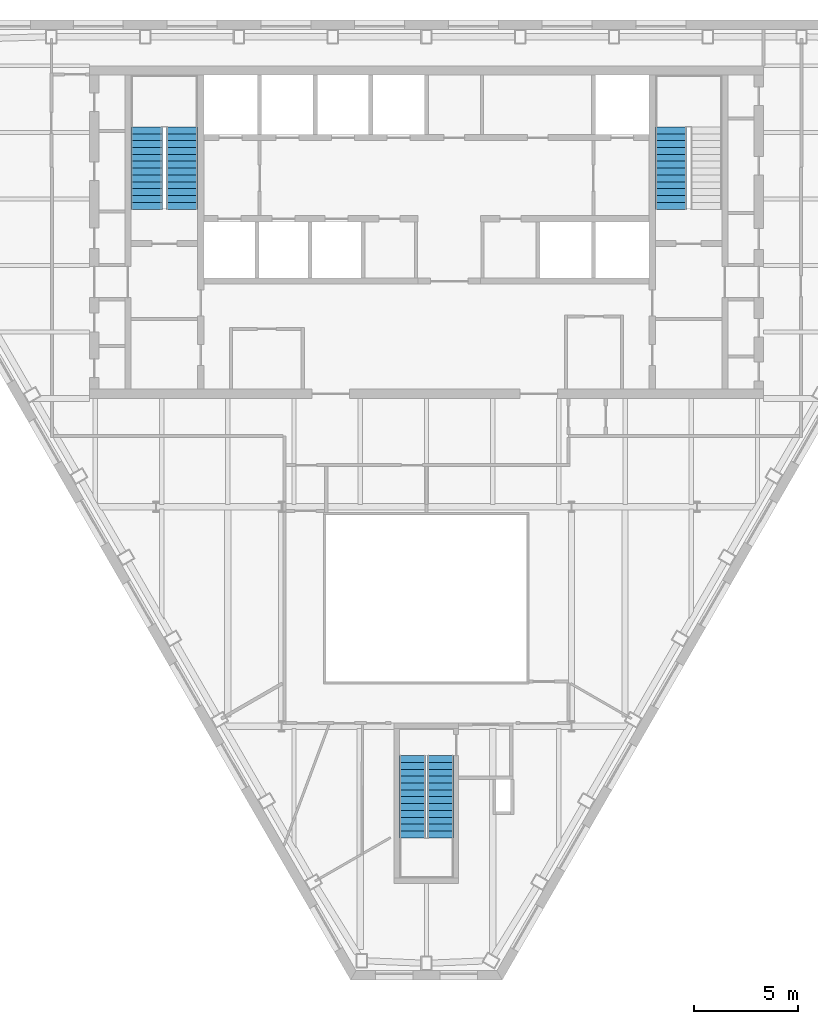
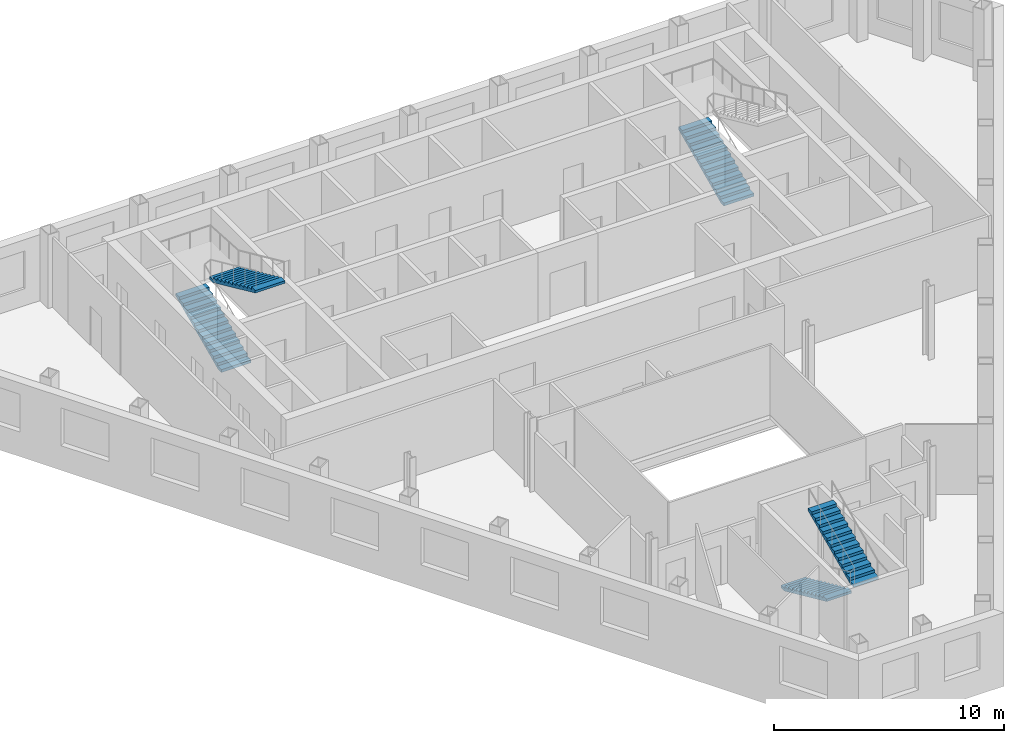
# One storey, part 9 of 11: 5 stair flights, 3 elements without a shape of their own.
"""IFC4 building model written with IfcOpenShell, lengths in metres."""

import ifcopenshell
import ifcopenshell.guid

model = None  # the IFC model being written
_history = None  # IfcOwnerHistory: only IFC2X3 demands one
_inside = {}  # id of a spatial element -> (the spatial element, [elements in it])
_under = {}  # id of a project, library or spatial element -> (it, [spatial elements below it])
_declared = {}  # id of a project -> (the project, [libraries it declares])
_typed = {}  # id of a type object -> (the type object, [elements of that type])
_made_of = {}  # id of a material, layer set ... -> (it, [elements and type objects made of it])


def new_model(schema):
    """Start an empty IFC model of exactly this schema.

    Asked for "IFC4X3", IfcOpenShell would pick the latest addendum, in which some entities
    have other attributes; the version numbers below select the first issue.
    IFC2X3 requires an IfcOwnerHistory on every rooted entity: one is made here for all.
    """
    global model, _history
    if schema == "IFC4X3":
        model = ifcopenshell.file(schema_version=(4, 3, 0, 0))
    else:
        model = ifcopenshell.file(schema=schema)
    _inside.clear()
    _under.clear()
    _declared.clear()
    _typed.clear()
    _made_of.clear()
    _history = None
    if model.schema == "IFC2X3":
        org = make("IfcOrganization", Name="unknown")
        user = make(
            "IfcPersonAndOrganization",
            ThePerson=make("IfcPerson", FamilyName="unknown"),
            TheOrganization=org,
        )
        app = make(
            "IfcApplication",
            ApplicationDeveloper=org,
            Version="unknown",
            ApplicationFullName="unknown",
            ApplicationIdentifier="unknown",
        )
        _history = make(
            "IfcOwnerHistory",
            OwningUser=user,
            OwningApplication=app,
            ChangeAction="ADDED",
            CreationDate=0,
        )
    return model


def make(cls, **values):
    """One entity of the class cls with the attributes given. An attribute that is None is left unset."""
    return model.create_entity(
        cls, **{name: value for name, value in values.items() if value is not None}
    )


def rooted(cls, **values):
    """An entity with a GlobalId (a new one), such as an element, a storey or a relation."""
    return make(cls, GlobalId=ifcopenshell.guid.new(), OwnerHistory=_history, **values)


def si_unit(unit_type, name, prefix=None):
    """IfcSIUnit, for example si_unit("LENGTHUNIT", "METRE", prefix="MILLI")."""
    return make("IfcSIUnit", UnitType=unit_type, Prefix=prefix, Name=name)


def assignment(units):
    """IfcUnitAssignment: the units of a project."""
    return None if units is None else make("IfcUnitAssignment", Units=units)


def point(xyz):
    """IfcCartesianPoint."""
    return None if xyz is None else make("IfcCartesianPoint", Coordinates=xyz)


def direction(xyz):
    """IfcDirection."""
    return None if xyz is None else make("IfcDirection", DirectionRatios=xyz)


def frame(location, z_axis=None, x_axis=None):
    """IfcAxis2Placement3D, a coordinate frame: its origin and axes. An axis left out is left unset."""
    return make(
        "IfcAxis2Placement3D",
        Location=point(location),
        Axis=direction(z_axis),
        RefDirection=direction(x_axis),
    )


def origin():
    """The frame at (0, 0, 0) with its axes left unset."""
    return frame((0.0, 0.0, 0.0))


def place(relative_to, where):
    """IfcLocalPlacement: puts the frame where relative to a parent placement (None: the world)."""
    return make(
        "IfcLocalPlacement", PlacementRelTo=relative_to, RelativePlacement=where
    )


def context(
    kind, dimensions, precision=None, world=None, true_north=None, identifier=None
):
    """IfcGeometricRepresentationContext, for example the 3D "Model" context."""
    return make(
        "IfcGeometricRepresentationContext",
        ContextIdentifier=identifier,
        ContextType=kind,
        CoordinateSpaceDimension=dimensions,
        Precision=precision,
        WorldCoordinateSystem=world,
        TrueNorth=true_north,
    )


def subcontext(parent, identifier, kind, view, scale=None):
    """IfcGeometricRepresentationSubContext, for example "Body" below "Model"."""
    return make(
        "IfcGeometricRepresentationSubContext",
        ContextIdentifier=identifier,
        ContextType=kind,
        ParentContext=parent,
        TargetScale=scale,
        TargetView=view,
    )


def project(units=None, contexts=None):
    """IfcProject with its units and contexts."""
    return rooted(
        "IfcProject",
        Name="project",
        RepresentationContexts=contexts,
        UnitsInContext=assignment(units),
    )


def spatial(cls, under=None, at=None, **own):
    """A site, building, storey or space (cls), placed at a placement, below another one or the project."""
    s = rooted(cls, ObjectPlacement=at, **own)
    if under is not None:
        _under.setdefault(under.id(), (under, []))[1].append(s)
    return s


def point_list(points):
    """IfcCartesianPointList2D or 3D."""
    cls = (
        "IfcCartesianPointList2D" if len(points[0]) == 2 else "IfcCartesianPointList3D"
    )
    return make(cls, CoordList=points)


def polygons(points, faces, closed=None, point_numbers=None):
    """IfcPolygonalFaceSet: a face is its outer loop, then its inner loops; points numbered from 1."""
    made = []
    for loops in faces:
        if len(loops) == 1:
            made.append(make("IfcIndexedPolygonalFace", CoordIndex=loops[0]))
        else:
            made.append(
                make(
                    "IfcIndexedPolygonalFaceWithVoids",
                    CoordIndex=loops[0],
                    InnerCoordIndices=loops[1:],
                )
            )
    return make(
        "IfcPolygonalFaceSet",
        Coordinates=point_list(points),
        Closed=closed,
        Faces=made,
        PnIndex=point_numbers,
    )


def shape(context_of_items, identifier, shape_type, items):
    """IfcShapeRepresentation: the items that make up one representation, for example the "Body"."""
    return make(
        "IfcShapeRepresentation",
        ContextOfItems=context_of_items,
        RepresentationIdentifier=identifier,
        RepresentationType=shape_type,
        Items=items,
    )


def material(Name=None, Category=None):
    """IfcMaterial."""
    return make("IfcMaterial", Name=Name, Category=Category)


def made_of(thing, what):
    """Note that an element or type object is made of a material, layer set ...; save() writes the relation."""
    if what is not None:
        _made_of.setdefault(what.id(), (what, []))[1].append(thing)
    return thing


def type_object(cls, material=None, **own):
    """A type object (cls), such as IfcWallType, which elements share."""
    return made_of(rooted(cls, **own), material)


def element(
    cls,
    number,
    at=None,
    inside=None,
    cuts=None,
    type_object=None,
    material=None,
    context=None,
    identifier="Body",
    shape_type=None,
    held_by="IfcProductDefinitionShape",
    body=None,
    shapes=None,
    **own,
):
    """One element of the class cls, such as IfcWall. Its Tag is "e" and its number.

    at: its placement. inside: the storey or other place that contains it. cuts: it is an
    opening in that element (IfcRelVoidsElement). A single representation is given by context,
    identifier, shape_type and body (its items); several are given by shapes. held_by: the class
    of the entity that holds the representations. save() writes the other relations.
    """
    e = rooted(cls, Tag="e%d" % number, ObjectPlacement=at, **own)
    if body is not None:
        shapes = [shape(context, identifier, shape_type, body)]
    if shapes is not None:
        e.Representation = make(held_by, Representations=shapes)
    if inside is not None:
        _inside.setdefault(inside.id(), (inside, []))[1].append(e)
    if cuts is not None:
        rooted(
            "IfcRelVoidsElement", RelatingBuildingElement=cuts, RelatedOpeningElement=e
        )
    if type_object is not None:
        _typed.setdefault(type_object.id(), (type_object, []))[1].append(e)
    return made_of(e, material)


def aggregate(whole, parts):
    """IfcRelAggregates: a whole, such as a stair, and the parts it consists of."""
    return rooted("IfcRelAggregates", RelatingObject=whole, RelatedObjects=parts)


def save(model, path):
    """Write the relations noted so far, then the file.

    IfcRelAggregates (storeys below a building ...), IfcRelContainedInSpatialStructure (elements
    in a storey), IfcRelDefinesByType, IfcRelAssociatesMaterial and IfcRelDeclares: one each for
    every whole, place, type object, material and project.
    """
    for whole, parts in _under.values():
        aggregate(whole, parts)
    for where, things in _inside.values():
        rooted(
            "IfcRelContainedInSpatialStructure",
            RelatedElements=things,
            RelatingStructure=where,
        )
    for kind, things in _typed.values():
        rooted("IfcRelDefinesByType", RelatedObjects=things, RelatingType=kind)
    for what, things in _made_of.values():
        rooted("IfcRelAssociatesMaterial", RelatedObjects=things, RelatingMaterial=what)
    for by, libraries in _declared.values():
        rooted("IfcRelDeclares", RelatingContext=by, RelatedDefinitions=libraries)
    model.write(path)


model = new_model("IFC4")

# Units and contexts
model_context = context("Model", 3, precision=1e-05, world=origin(), true_north=direction((0.0, 1.0)))
body_context = subcontext(model_context, "Body", "Model", "MODEL_VIEW")
ifc_project = project(units=[si_unit("LENGTHUNIT", "METRE"), si_unit("AREAUNIT", "SQUARE_METRE"), si_unit("VOLUMEUNIT", "CUBIC_METRE"), si_unit("PLANEANGLEUNIT", "RADIAN"), si_unit("MASSUNIT", "GRAM", prefix="KILO")], contexts=[model_context])

# Site, building, storey
site_placement = place(None, origin())
site = spatial("IfcSite", under=ifc_project, at=site_placement, CompositionType="ELEMENT")
building_placement = place(site_placement, origin())
building = spatial("IfcBuilding", under=site, at=building_placement, Name="Njiva Tower", CompositionType="ELEMENT")
storey_placement = place(building_placement, frame((0.0, 0.0, 208.2)))
storey = spatial("IfcBuildingStorey", under=building, at=storey_placement, Name="L46", CompositionType="ELEMENT", Elevation=208.2)

# Stair, stair flights
ifc_material = material(Name="Concrete C40/50", Category="concrete")
stair_type_1 = type_object("IfcStairType", Name="ST1 Exit stair 1250", PredefinedType="HALF_TURN_STAIR", material=ifc_material)
stair_1_placement = place(storey_placement, origin())
stair_1 = element("IfcStair", 1, at=stair_1_placement, inside=storey, type_object=stair_type_1, Name="Stair C", PredefinedType="HALF_TURN_STAIR")
stair_flight_type_1 = type_object("IfcStairFlightType", Name="FL1 Stair flight 1250", PredefinedType="STRAIGHT", material=ifc_material)
stair_flight_1_placement = place(storey_placement, frame((-0.675, -15.16, 0.0), z_axis=(0.0, 0.0, 1.0), x_axis=(0.0, -1.0, 0.0)))
stair_flight_1 = element("IfcStairFlight", 2, at=stair_flight_1_placement, type_object=stair_flight_type_1, Name="ST-C flight 1", NumberOfRisers=13, NumberOfTreads=12, PredefinedType="STRAIGHT", RiserHeight=0.15, TreadLength=0.33, context=body_context, shape_type="Tessellation", body=[
    polygons([(0.0, 0.625, 0.0), (0.0, 0.3125, 0.0), (0.0, 0.0, 0.0), (0.0, -0.3125, 0.0), (0.0, -0.625, 0.0), (0.0, 0.625, 0.15), (0.0, 0.3125, 0.15), (0.0, 0.0, 0.15), (0.0, -0.3125, 0.15), (0.0, -0.625, 0.15), (0.33, 0.625, 0.15), (0.33, 0.3125, 0.15), (0.33, 0.0, 0.15), (0.33, -0.3125, 0.15), (0.33, -0.625, 0.15), (0.33, 0.625, 0.3), (0.33, 0.3125, 0.3), (0.33, 0.0, 0.3), (0.33, -0.3125, 0.3), (0.33, -0.625, 0.3), (0.66, 0.625, 0.3), (0.66, 0.3125, 0.3), (0.66, 0.0, 0.3), (0.66, -0.3125, 0.3), (0.66, -0.625, 0.3), (0.66, 0.625, 0.45), (0.66, 0.3125, 0.45), (0.66, 0.0, 0.45), (0.66, -0.3125, 0.45), (0.66, -0.625, 0.45), (0.99, 0.625, 0.45), (0.99, 0.3125, 0.45), (0.99, 0.0, 0.45), (0.99, -0.3125, 0.45), (0.99, -0.625, 0.45), (0.99, 0.625, 0.6), (0.99, 0.3125, 0.6), (0.99, 0.0, 0.6), (0.99, -0.3125, 0.6), (0.99, -0.625, 0.6), (1.32, 0.625, 0.6), (1.32, 0.3125, 0.6), (1.32, 0.0, 0.6), (1.32, -0.3125, 0.6), (1.32, -0.625, 0.6), (1.32, 0.625, 0.75), (1.32, 0.3125, 0.75), (1.32, 0.0, 0.75), (1.32, -0.3125, 0.75), (1.32, -0.625, 0.75), (1.65, 0.625, 0.75), (1.65, 0.3125, 0.75), (1.65, 0.0, 0.75), (1.65, -0.3125, 0.75), (1.65, -0.625, 0.75), (1.65, 0.625, 0.9), (1.65, 0.3125, 0.9), (1.65, 0.0, 0.9), (1.65, -0.3125, 0.9), (1.65, -0.625, 0.9), (1.98, 0.625, 0.9), (1.98, 0.3125, 0.9), (1.98, 0.0, 0.9), (1.98, -0.3125, 0.9), (1.98, -0.625, 0.9), (1.98, 0.625, 1.05), (1.98, 0.3125, 1.05), (1.98, 0.0, 1.05), (1.98, -0.3125, 1.05), (1.98, -0.625, 1.05), (2.31, 0.625, 1.05), (2.31, 0.3125, 1.05), (2.31, 0.0, 1.05), (2.31, -0.3125, 1.05), (2.31, -0.625, 1.05), (2.31, 0.625, 1.2), (2.31, 0.3125, 1.2), (2.31, 0.0, 1.2), (2.31, -0.3125, 1.2), (2.31, -0.625, 1.2), (2.64, 0.625, 1.2), (2.64, 0.3125, 1.2), (2.64, 0.0, 1.2), (2.64, -0.3125, 1.2), (2.64, -0.625, 1.2), (2.64, 0.625, 1.35), (2.64, 0.3125, 1.35), (2.64, 0.0, 1.35), (2.64, -0.3125, 1.35), (2.64, -0.625, 1.35), (2.97, 0.625, 1.35), (2.97, 0.3125, 1.35), (2.97, 0.0, 1.35), (2.97, -0.3125, 1.35), (2.97, -0.625, 1.35), (2.97, 0.625, 1.5), (2.97, 0.3125, 1.5), (2.97, 0.0, 1.5), (2.97, -0.3125, 1.5), (2.97, -0.625, 1.5), (3.3, 0.625, 1.5), (3.3, 0.3125, 1.5), (3.3, 0.0, 1.5), (3.3, -0.3125, 1.5), (3.3, -0.625, 1.5), (3.3, 0.625, 1.65), (3.3, 0.3125, 1.65), (3.3, 0.0, 1.65), (3.3, -0.3125, 1.65), (3.3, -0.625, 1.65), (3.63, 0.625, 1.65), (3.63, 0.3125, 1.65), (3.63, 0.0, 1.65), (3.63, -0.3125, 1.65), (3.63, -0.625, 1.65), (3.63, 0.625, 1.8), (3.63, 0.3125, 1.8), (3.63, 0.0, 1.8), (3.63, -0.3125, 1.8), (3.63, -0.625, 1.8), (3.96, 0.625, 1.8), (3.96, 0.3125, 1.8), (3.96, 0.0, 1.8), (3.96, -0.3125, 1.8), (3.96, -0.625, 1.8), (3.96, 0.625, 1.6682), (3.96, 0.3125, 1.6682), (3.96, 0.0, 1.6682), (3.96, -0.3125, 1.6682), (3.96, -0.625, 1.6682), (0.29, 0.625, 0.0), (0.29, 0.3125, 0.0), (0.29, 0.0, 0.0), (0.29, -0.3125, 0.0), (0.29, -0.625, 0.0)], [[[1, 6, 11, 16, 21, 26, 31, 36, 41, 46, 51, 56, 61, 66, 71, 76, 81, 86, 91, 96, 101, 106, 111, 116, 121, 126, 131]], [[135, 130, 125, 120, 115, 110, 105, 100, 95, 90, 85, 80, 75, 70, 65, 60, 55, 50, 45, 40, 35, 30, 25, 20, 15, 10, 5]], [[6, 1, 2, 7]], [[7, 2, 3, 8]], [[8, 3, 4, 9]], [[9, 4, 5, 10]], [[11, 6, 7, 12]], [[12, 7, 8, 13]], [[13, 8, 9, 14]], [[14, 9, 10, 15]], [[16, 11, 12, 17]], [[17, 12, 13, 18]], [[18, 13, 14, 19]], [[19, 14, 15, 20]], [[21, 16, 17, 22]], [[22, 17, 18, 23]], [[23, 18, 19, 24]], [[24, 19, 20, 25]], [[26, 21, 22, 27]], [[27, 22, 23, 28]], [[28, 23, 24, 29]], [[29, 24, 25, 30]], [[31, 26, 27, 32]], [[32, 27, 28, 33]], [[33, 28, 29, 34]], [[34, 29, 30, 35]], [[36, 31, 32, 37]], [[37, 32, 33, 38]], [[38, 33, 34, 39]], [[39, 34, 35, 40]], [[41, 36, 37, 42]], [[42, 37, 38, 43]], [[43, 38, 39, 44]], [[44, 39, 40, 45]], [[46, 41, 42, 47]], [[47, 42, 43, 48]], [[48, 43, 44, 49]], [[49, 44, 45, 50]], [[51, 46, 47, 52]], [[52, 47, 48, 53]], [[53, 48, 49, 54]], [[54, 49, 50, 55]], [[56, 51, 52, 57]], [[57, 52, 53, 58]], [[58, 53, 54, 59]], [[59, 54, 55, 60]], [[61, 56, 57, 62]], [[62, 57, 58, 63]], [[63, 58, 59, 64]], [[64, 59, 60, 65]], [[66, 61, 62, 67]], [[67, 62, 63, 68]], [[68, 63, 64, 69]], [[69, 64, 65, 70]], [[71, 66, 67, 72]], [[72, 67, 68, 73]], [[73, 68, 69, 74]], [[74, 69, 70, 75]], [[76, 71, 72, 77]], [[77, 72, 73, 78]], [[78, 73, 74, 79]], [[79, 74, 75, 80]], [[81, 76, 77, 82]], [[82, 77, 78, 83]], [[83, 78, 79, 84]], [[84, 79, 80, 85]], [[86, 81, 82, 87]], [[87, 82, 83, 88]], [[88, 83, 84, 89]], [[89, 84, 85, 90]], [[91, 86, 87, 92]], [[92, 87, 88, 93]], [[93, 88, 89, 94]], [[94, 89, 90, 95]], [[96, 91, 92, 97]], [[97, 92, 93, 98]], [[98, 93, 94, 99]], [[99, 94, 95, 100]], [[101, 96, 97, 102]], [[102, 97, 98, 103]], [[103, 98, 99, 104]], [[104, 99, 100, 105]], [[106, 101, 102, 107]], [[107, 102, 103, 108]], [[108, 103, 104, 109]], [[109, 104, 105, 110]], [[111, 106, 107, 112]], [[112, 107, 108, 113]], [[113, 108, 109, 114]], [[114, 109, 110, 115]], [[116, 111, 112, 117]], [[117, 112, 113, 118]], [[118, 113, 114, 119]], [[119, 114, 115, 120]], [[121, 116, 117, 122]], [[122, 117, 118, 123]], [[123, 118, 119, 124]], [[124, 119, 120, 125]], [[126, 121, 122, 127]], [[127, 122, 123, 128]], [[128, 123, 124, 129]], [[129, 124, 125, 130]], [[131, 126, 127, 132]], [[132, 127, 128, 133]], [[133, 128, 129, 134]], [[134, 129, 130, 135]], [[1, 131, 132, 2]], [[2, 132, 133, 3]], [[3, 133, 134, 4]], [[4, 134, 135, 5]]], closed=True),
])
stair_flight_2_placement = place(storey_placement, frame((0.675, -19.12, 1.95), z_axis=(0.0, 0.0, 1.0), x_axis=(0.0, 1.0, 0.0)))
stair_flight_2 = element("IfcStairFlight", 3, at=stair_flight_2_placement, type_object=stair_flight_type_1, Name="ST-C flight 2", NumberOfRisers=13, NumberOfTreads=12, PredefinedType="STRAIGHT", RiserHeight=0.15, TreadLength=0.33, context=body_context, shape_type="Tessellation", body=[
    polygons([(0.0, 0.625, 0.0), (0.0, 0.3125, 0.0), (0.0, 0.0, 0.0), (0.0, -0.3125, 0.0), (0.0, -0.625, 0.0), (0.0, 0.625, 0.15), (0.0, 0.3125, 0.15), (0.0, 0.0, 0.15), (0.0, -0.3125, 0.15), (0.0, -0.625, 0.15), (0.33, 0.625, 0.15), (0.33, 0.3125, 0.15), (0.33, 0.0, 0.15), (0.33, -0.3125, 0.15), (0.33, -0.625, 0.15), (0.33, 0.625, 0.3), (0.33, 0.3125, 0.3), (0.33, 0.0, 0.3), (0.33, -0.3125, 0.3), (0.33, -0.625, 0.3), (0.66, 0.625, 0.3), (0.66, 0.3125, 0.3), (0.66, 0.0, 0.3), (0.66, -0.3125, 0.3), (0.66, -0.625, 0.3), (0.66, 0.625, 0.45), (0.66, 0.3125, 0.45), (0.66, 0.0, 0.45), (0.66, -0.3125, 0.45), (0.66, -0.625, 0.45), (0.99, 0.625, 0.45), (0.99, 0.3125, 0.45), (0.99, 0.0, 0.45), (0.99, -0.3125, 0.45), (0.99, -0.625, 0.45), (0.99, 0.625, 0.6), (0.99, 0.3125, 0.6), (0.99, 0.0, 0.6), (0.99, -0.3125, 0.6), (0.99, -0.625, 0.6), (1.32, 0.625, 0.6), (1.32, 0.3125, 0.6), (1.32, 0.0, 0.6), (1.32, -0.3125, 0.6), (1.32, -0.625, 0.6), (1.32, 0.625, 0.75), (1.32, 0.3125, 0.75), (1.32, 0.0, 0.75), (1.32, -0.3125, 0.75), (1.32, -0.625, 0.75), (1.65, 0.625, 0.75), (1.65, 0.3125, 0.75), (1.65, 0.0, 0.75), (1.65, -0.3125, 0.75), (1.65, -0.625, 0.75), (1.65, 0.625, 0.9), (1.65, 0.3125, 0.9), (1.65, 0.0, 0.9), (1.65, -0.3125, 0.9), (1.65, -0.625, 0.9), (1.98, 0.625, 0.9), (1.98, 0.3125, 0.9), (1.98, 0.0, 0.9), (1.98, -0.3125, 0.9), (1.98, -0.625, 0.9), (1.98, 0.625, 1.05), (1.98, 0.3125, 1.05), (1.98, 0.0, 1.05), (1.98, -0.3125, 1.05), (1.98, -0.625, 1.05), (2.31, 0.625, 1.05), (2.31, 0.3125, 1.05), (2.31, 0.0, 1.05), (2.31, -0.3125, 1.05), (2.31, -0.625, 1.05), (2.31, 0.625, 1.2), (2.31, 0.3125, 1.2), (2.31, 0.0, 1.2), (2.31, -0.3125, 1.2), (2.31, -0.625, 1.2), (2.64, 0.625, 1.2), (2.64, 0.3125, 1.2), (2.64, 0.0, 1.2), (2.64, -0.3125, 1.2), (2.64, -0.625, 1.2), (2.64, 0.625, 1.35), (2.64, 0.3125, 1.35), (2.64, 0.0, 1.35), (2.64, -0.3125, 1.35), (2.64, -0.625, 1.35), (2.97, 0.625, 1.35), (2.97, 0.3125, 1.35), (2.97, 0.0, 1.35), (2.97, -0.3125, 1.35), (2.97, -0.625, 1.35), (2.97, 0.625, 1.5), (2.97, 0.3125, 1.5), (2.97, 0.0, 1.5), (2.97, -0.3125, 1.5), (2.97, -0.625, 1.5), (3.3, 0.625, 1.5), (3.3, 0.3125, 1.5), (3.3, 0.0, 1.5), (3.3, -0.3125, 1.5), (3.3, -0.625, 1.5), (3.3, 0.625, 1.65), (3.3, 0.3125, 1.65), (3.3, 0.0, 1.65), (3.3, -0.3125, 1.65), (3.3, -0.625, 1.65), (3.63, 0.625, 1.65), (3.63, 0.3125, 1.65), (3.63, 0.0, 1.65), (3.63, -0.3125, 1.65), (3.63, -0.625, 1.65), (3.63, 0.625, 1.8), (3.63, 0.3125, 1.8), (3.63, 0.0, 1.8), (3.63, -0.3125, 1.8), (3.63, -0.625, 1.8), (3.96, 0.625, 1.8), (3.96, 0.3125, 1.8), (3.96, 0.0, 1.8), (3.96, -0.3125, 1.8), (3.96, -0.625, 1.8), (3.96, 0.625, 1.6682), (3.96, 0.3125, 1.6682), (3.96, 0.0, 1.6682), (3.96, -0.3125, 1.6682), (3.96, -0.625, 1.6682), (0.29, 0.625, 0.0), (0.29, 0.3125, 0.0), (0.29, 0.0, 0.0), (0.29, -0.3125, 0.0), (0.29, -0.625, 0.0)], [[[1, 6, 11, 16, 21, 26, 31, 36, 41, 46, 51, 56, 61, 66, 71, 76, 81, 86, 91, 96, 101, 106, 111, 116, 121, 126, 131]], [[135, 130, 125, 120, 115, 110, 105, 100, 95, 90, 85, 80, 75, 70, 65, 60, 55, 50, 45, 40, 35, 30, 25, 20, 15, 10, 5]], [[6, 1, 2, 7]], [[7, 2, 3, 8]], [[8, 3, 4, 9]], [[9, 4, 5, 10]], [[11, 6, 7, 12]], [[12, 7, 8, 13]], [[13, 8, 9, 14]], [[14, 9, 10, 15]], [[16, 11, 12, 17]], [[17, 12, 13, 18]], [[18, 13, 14, 19]], [[19, 14, 15, 20]], [[21, 16, 17, 22]], [[22, 17, 18, 23]], [[23, 18, 19, 24]], [[24, 19, 20, 25]], [[26, 21, 22, 27]], [[27, 22, 23, 28]], [[28, 23, 24, 29]], [[29, 24, 25, 30]], [[31, 26, 27, 32]], [[32, 27, 28, 33]], [[33, 28, 29, 34]], [[34, 29, 30, 35]], [[36, 31, 32, 37]], [[37, 32, 33, 38]], [[38, 33, 34, 39]], [[39, 34, 35, 40]], [[41, 36, 37, 42]], [[42, 37, 38, 43]], [[43, 38, 39, 44]], [[44, 39, 40, 45]], [[46, 41, 42, 47]], [[47, 42, 43, 48]], [[48, 43, 44, 49]], [[49, 44, 45, 50]], [[51, 46, 47, 52]], [[52, 47, 48, 53]], [[53, 48, 49, 54]], [[54, 49, 50, 55]], [[56, 51, 52, 57]], [[57, 52, 53, 58]], [[58, 53, 54, 59]], [[59, 54, 55, 60]], [[61, 56, 57, 62]], [[62, 57, 58, 63]], [[63, 58, 59, 64]], [[64, 59, 60, 65]], [[66, 61, 62, 67]], [[67, 62, 63, 68]], [[68, 63, 64, 69]], [[69, 64, 65, 70]], [[71, 66, 67, 72]], [[72, 67, 68, 73]], [[73, 68, 69, 74]], [[74, 69, 70, 75]], [[76, 71, 72, 77]], [[77, 72, 73, 78]], [[78, 73, 74, 79]], [[79, 74, 75, 80]], [[81, 76, 77, 82]], [[82, 77, 78, 83]], [[83, 78, 79, 84]], [[84, 79, 80, 85]], [[86, 81, 82, 87]], [[87, 82, 83, 88]], [[88, 83, 84, 89]], [[89, 84, 85, 90]], [[91, 86, 87, 92]], [[92, 87, 88, 93]], [[93, 88, 89, 94]], [[94, 89, 90, 95]], [[96, 91, 92, 97]], [[97, 92, 93, 98]], [[98, 93, 94, 99]], [[99, 94, 95, 100]], [[101, 96, 97, 102]], [[102, 97, 98, 103]], [[103, 98, 99, 104]], [[104, 99, 100, 105]], [[106, 101, 102, 107]], [[107, 102, 103, 108]], [[108, 103, 104, 109]], [[109, 104, 105, 110]], [[111, 106, 107, 112]], [[112, 107, 108, 113]], [[113, 108, 109, 114]], [[114, 109, 110, 115]], [[116, 111, 112, 117]], [[117, 112, 113, 118]], [[118, 113, 114, 119]], [[119, 114, 115, 120]], [[121, 116, 117, 122]], [[122, 117, 118, 123]], [[123, 118, 119, 124]], [[124, 119, 120, 125]], [[126, 121, 122, 127]], [[127, 122, 123, 128]], [[128, 123, 124, 129]], [[129, 124, 125, 130]], [[131, 126, 127, 132]], [[132, 127, 128, 133]], [[133, 128, 129, 134]], [[134, 129, 130, 135]], [[1, 131, 132, 2]], [[2, 132, 133, 3]], [[3, 133, 134, 4]], [[4, 134, 135, 5]]], closed=True),
])
aggregate(stair_1, [stair_flight_1, stair_flight_2])

stair_type_2 = type_object("IfcStairType", Name="ST4 Exit stair 1500", PredefinedType="HALF_TURN_STAIR", material=ifc_material)
stair_2_placement = place(storey_placement, origin())
stair_2 = element("IfcStair", 4, at=stair_2_placement, inside=storey, type_object=stair_type_2, Name="Stair A", PredefinedType="HALF_TURN_STAIR")
stair_flight_type_2 = type_object("IfcStairFlightType", Name="FL4 Stair flight 1500", PredefinedType="STRAIGHT", material=ifc_material)
stair_flight_3_placement = place(storey_placement, frame((-13.45, 11.1, 0.0), z_axis=(0.0, 0.0, 1.0), x_axis=(0.0, 1.0, 0.0)))
stair_flight_3 = element("IfcStairFlight", 5, at=stair_flight_3_placement, type_object=stair_flight_type_2, Name="ST-A flight 1", NumberOfRisers=13, NumberOfTreads=12, PredefinedType="STRAIGHT", RiserHeight=0.15, TreadLength=0.33, context=body_context, shape_type="Tessellation", body=[
    polygons([(0.0, 0.75, 0.0), (0.0, 0.375, 0.0), (0.0, 0.0, 0.0), (0.0, -0.375, 0.0), (0.0, -0.75, 0.0), (0.0, 0.75, 0.15), (0.0, 0.375, 0.15), (0.0, 0.0, 0.15), (0.0, -0.375, 0.15), (0.0, -0.75, 0.15), (0.33, 0.75, 0.15), (0.33, 0.375, 0.15), (0.33, 0.0, 0.15), (0.33, -0.375, 0.15), (0.33, -0.75, 0.15), (0.33, 0.75, 0.3), (0.33, 0.375, 0.3), (0.33, 0.0, 0.3), (0.33, -0.375, 0.3), (0.33, -0.75, 0.3), (0.66, 0.75, 0.3), (0.66, 0.375, 0.3), (0.66, 0.0, 0.3), (0.66, -0.375, 0.3), (0.66, -0.75, 0.3), (0.66, 0.75, 0.45), (0.66, 0.375, 0.45), (0.66, 0.0, 0.45), (0.66, -0.375, 0.45), (0.66, -0.75, 0.45), (0.99, 0.75, 0.45), (0.99, 0.375, 0.45), (0.99, 0.0, 0.45), (0.99, -0.375, 0.45), (0.99, -0.75, 0.45), (0.99, 0.75, 0.6), (0.99, 0.375, 0.6), (0.99, 0.0, 0.6), (0.99, -0.375, 0.6), (0.99, -0.75, 0.6), (1.32, 0.75, 0.6), (1.32, 0.375, 0.6), (1.32, 0.0, 0.6), (1.32, -0.375, 0.6), (1.32, -0.75, 0.6), (1.32, 0.75, 0.75), (1.32, 0.375, 0.75), (1.32, 0.0, 0.75), (1.32, -0.375, 0.75), (1.32, -0.75, 0.75), (1.65, 0.75, 0.75), (1.65, 0.375, 0.75), (1.65, 0.0, 0.75), (1.65, -0.375, 0.75), (1.65, -0.75, 0.75), (1.65, 0.75, 0.9), (1.65, 0.375, 0.9), (1.65, 0.0, 0.9), (1.65, -0.375, 0.9), (1.65, -0.75, 0.9), (1.98, 0.75, 0.9), (1.98, 0.375, 0.9), (1.98, 0.0, 0.9), (1.98, -0.375, 0.9), (1.98, -0.75, 0.9), (1.98, 0.75, 1.05), (1.98, 0.375, 1.05), (1.98, 0.0, 1.05), (1.98, -0.375, 1.05), (1.98, -0.75, 1.05), (2.31, 0.75, 1.05), (2.31, 0.375, 1.05), (2.31, 0.0, 1.05), (2.31, -0.375, 1.05), (2.31, -0.75, 1.05), (2.31, 0.75, 1.2), (2.31, 0.375, 1.2), (2.31, 0.0, 1.2), (2.31, -0.375, 1.2), (2.31, -0.75, 1.2), (2.64, 0.75, 1.2), (2.64, 0.375, 1.2), (2.64, 0.0, 1.2), (2.64, -0.375, 1.2), (2.64, -0.75, 1.2), (2.64, 0.75, 1.35), (2.64, 0.375, 1.35), (2.64, 0.0, 1.35), (2.64, -0.375, 1.35), (2.64, -0.75, 1.35), (2.97, 0.75, 1.35), (2.97, 0.375, 1.35), (2.97, 0.0, 1.35), (2.97, -0.375, 1.35), (2.97, -0.75, 1.35), (2.97, 0.75, 1.5), (2.97, 0.375, 1.5), (2.97, 0.0, 1.5), (2.97, -0.375, 1.5), (2.97, -0.75, 1.5), (3.3, 0.75, 1.5), (3.3, 0.375, 1.5), (3.3, 0.0, 1.5), (3.3, -0.375, 1.5), (3.3, -0.75, 1.5), (3.3, 0.75, 1.65), (3.3, 0.375, 1.65), (3.3, 0.0, 1.65), (3.3, -0.375, 1.65), (3.3, -0.75, 1.65), (3.63, 0.75, 1.65), (3.63, 0.375, 1.65), (3.63, 0.0, 1.65), (3.63, -0.375, 1.65), (3.63, -0.75, 1.65), (3.63, 0.75, 1.8), (3.63, 0.375, 1.8), (3.63, 0.0, 1.8), (3.63, -0.375, 1.8), (3.63, -0.75, 1.8), (3.96, 0.75, 1.8), (3.96, 0.375, 1.8), (3.96, 0.0, 1.8), (3.96, -0.375, 1.8), (3.96, -0.75, 1.8), (3.96, 0.75, 1.6682), (3.96, 0.375, 1.6682), (3.96, 0.0, 1.6682), (3.96, -0.375, 1.6682), (3.96, -0.75, 1.6682), (0.29, 0.75, 0.0), (0.29, 0.375, 0.0), (0.29, 0.0, 0.0), (0.29, -0.375, 0.0), (0.29, -0.75, 0.0)], [[[1, 6, 11, 16, 21, 26, 31, 36, 41, 46, 51, 56, 61, 66, 71, 76, 81, 86, 91, 96, 101, 106, 111, 116, 121, 126, 131]], [[135, 130, 125, 120, 115, 110, 105, 100, 95, 90, 85, 80, 75, 70, 65, 60, 55, 50, 45, 40, 35, 30, 25, 20, 15, 10, 5]], [[6, 1, 2, 7]], [[7, 2, 3, 8]], [[8, 3, 4, 9]], [[9, 4, 5, 10]], [[11, 6, 7, 12]], [[12, 7, 8, 13]], [[13, 8, 9, 14]], [[14, 9, 10, 15]], [[16, 11, 12, 17]], [[17, 12, 13, 18]], [[18, 13, 14, 19]], [[19, 14, 15, 20]], [[21, 16, 17, 22]], [[22, 17, 18, 23]], [[23, 18, 19, 24]], [[24, 19, 20, 25]], [[26, 21, 22, 27]], [[27, 22, 23, 28]], [[28, 23, 24, 29]], [[29, 24, 25, 30]], [[31, 26, 27, 32]], [[32, 27, 28, 33]], [[33, 28, 29, 34]], [[34, 29, 30, 35]], [[36, 31, 32, 37]], [[37, 32, 33, 38]], [[38, 33, 34, 39]], [[39, 34, 35, 40]], [[41, 36, 37, 42]], [[42, 37, 38, 43]], [[43, 38, 39, 44]], [[44, 39, 40, 45]], [[46, 41, 42, 47]], [[47, 42, 43, 48]], [[48, 43, 44, 49]], [[49, 44, 45, 50]], [[51, 46, 47, 52]], [[52, 47, 48, 53]], [[53, 48, 49, 54]], [[54, 49, 50, 55]], [[56, 51, 52, 57]], [[57, 52, 53, 58]], [[58, 53, 54, 59]], [[59, 54, 55, 60]], [[61, 56, 57, 62]], [[62, 57, 58, 63]], [[63, 58, 59, 64]], [[64, 59, 60, 65]], [[66, 61, 62, 67]], [[67, 62, 63, 68]], [[68, 63, 64, 69]], [[69, 64, 65, 70]], [[71, 66, 67, 72]], [[72, 67, 68, 73]], [[73, 68, 69, 74]], [[74, 69, 70, 75]], [[76, 71, 72, 77]], [[77, 72, 73, 78]], [[78, 73, 74, 79]], [[79, 74, 75, 80]], [[81, 76, 77, 82]], [[82, 77, 78, 83]], [[83, 78, 79, 84]], [[84, 79, 80, 85]], [[86, 81, 82, 87]], [[87, 82, 83, 88]], [[88, 83, 84, 89]], [[89, 84, 85, 90]], [[91, 86, 87, 92]], [[92, 87, 88, 93]], [[93, 88, 89, 94]], [[94, 89, 90, 95]], [[96, 91, 92, 97]], [[97, 92, 93, 98]], [[98, 93, 94, 99]], [[99, 94, 95, 100]], [[101, 96, 97, 102]], [[102, 97, 98, 103]], [[103, 98, 99, 104]], [[104, 99, 100, 105]], [[106, 101, 102, 107]], [[107, 102, 103, 108]], [[108, 103, 104, 109]], [[109, 104, 105, 110]], [[111, 106, 107, 112]], [[112, 107, 108, 113]], [[113, 108, 109, 114]], [[114, 109, 110, 115]], [[116, 111, 112, 117]], [[117, 112, 113, 118]], [[118, 113, 114, 119]], [[119, 114, 115, 120]], [[121, 116, 117, 122]], [[122, 117, 118, 123]], [[123, 118, 119, 124]], [[124, 119, 120, 125]], [[126, 121, 122, 127]], [[127, 122, 123, 128]], [[128, 123, 124, 129]], [[129, 124, 125, 130]], [[131, 126, 127, 132]], [[132, 127, 128, 133]], [[133, 128, 129, 134]], [[134, 129, 130, 135]], [[1, 131, 132, 2]], [[2, 132, 133, 3]], [[3, 133, 134, 4]], [[4, 134, 135, 5]]], closed=True),
])
stair_flight_4_placement = place(storey_placement, frame((-11.75, 15.06, 1.95), z_axis=(0.0, 0.0, 1.0), x_axis=(0.0, -1.0, 0.0)))
stair_flight_4 = element("IfcStairFlight", 6, at=stair_flight_4_placement, type_object=stair_flight_type_2, Name="ST-A flight 2", NumberOfRisers=13, NumberOfTreads=12, PredefinedType="STRAIGHT", RiserHeight=0.15, TreadLength=0.33, context=body_context, shape_type="Tessellation", body=[
    polygons([(0.0, 0.75, 0.0), (0.0, 0.375, 0.0), (0.0, 0.0, 0.0), (0.0, -0.375, 0.0), (0.0, -0.75, 0.0), (0.0, 0.75, 0.15), (0.0, 0.375, 0.15), (0.0, 0.0, 0.15), (0.0, -0.375, 0.15), (0.0, -0.75, 0.15), (0.33, 0.75, 0.15), (0.33, 0.375, 0.15), (0.33, 0.0, 0.15), (0.33, -0.375, 0.15), (0.33, -0.75, 0.15), (0.33, 0.75, 0.3), (0.33, 0.375, 0.3), (0.33, 0.0, 0.3), (0.33, -0.375, 0.3), (0.33, -0.75, 0.3), (0.66, 0.75, 0.3), (0.66, 0.375, 0.3), (0.66, 0.0, 0.3), (0.66, -0.375, 0.3), (0.66, -0.75, 0.3), (0.66, 0.75, 0.45), (0.66, 0.375, 0.45), (0.66, 0.0, 0.45), (0.66, -0.375, 0.45), (0.66, -0.75, 0.45), (0.99, 0.75, 0.45), (0.99, 0.375, 0.45), (0.99, 0.0, 0.45), (0.99, -0.375, 0.45), (0.99, -0.75, 0.45), (0.99, 0.75, 0.6), (0.99, 0.375, 0.6), (0.99, 0.0, 0.6), (0.99, -0.375, 0.6), (0.99, -0.75, 0.6), (1.32, 0.75, 0.6), (1.32, 0.375, 0.6), (1.32, 0.0, 0.6), (1.32, -0.375, 0.6), (1.32, -0.75, 0.6), (1.32, 0.75, 0.75), (1.32, 0.375, 0.75), (1.32, 0.0, 0.75), (1.32, -0.375, 0.75), (1.32, -0.75, 0.75), (1.65, 0.75, 0.75), (1.65, 0.375, 0.75), (1.65, 0.0, 0.75), (1.65, -0.375, 0.75), (1.65, -0.75, 0.75), (1.65, 0.75, 0.9), (1.65, 0.375, 0.9), (1.65, 0.0, 0.9), (1.65, -0.375, 0.9), (1.65, -0.75, 0.9), (1.98, 0.75, 0.9), (1.98, 0.375, 0.9), (1.98, 0.0, 0.9), (1.98, -0.375, 0.9), (1.98, -0.75, 0.9), (1.98, 0.75, 1.05), (1.98, 0.375, 1.05), (1.98, 0.0, 1.05), (1.98, -0.375, 1.05), (1.98, -0.75, 1.05), (2.31, 0.75, 1.05), (2.31, 0.375, 1.05), (2.31, 0.0, 1.05), (2.31, -0.375, 1.05), (2.31, -0.75, 1.05), (2.31, 0.75, 1.2), (2.31, 0.375, 1.2), (2.31, 0.0, 1.2), (2.31, -0.375, 1.2), (2.31, -0.75, 1.2), (2.64, 0.75, 1.2), (2.64, 0.375, 1.2), (2.64, 0.0, 1.2), (2.64, -0.375, 1.2), (2.64, -0.75, 1.2), (2.64, 0.75, 1.35), (2.64, 0.375, 1.35), (2.64, 0.0, 1.35), (2.64, -0.375, 1.35), (2.64, -0.75, 1.35), (2.97, 0.75, 1.35), (2.97, 0.375, 1.35), (2.97, 0.0, 1.35), (2.97, -0.375, 1.35), (2.97, -0.75, 1.35), (2.97, 0.75, 1.5), (2.97, 0.375, 1.5), (2.97, 0.0, 1.5), (2.97, -0.375, 1.5), (2.97, -0.75, 1.5), (3.3, 0.75, 1.5), (3.3, 0.375, 1.5), (3.3, 0.0, 1.5), (3.3, -0.375, 1.5), (3.3, -0.75, 1.5), (3.3, 0.75, 1.65), (3.3, 0.375, 1.65), (3.3, 0.0, 1.65), (3.3, -0.375, 1.65), (3.3, -0.75, 1.65), (3.63, 0.75, 1.65), (3.63, 0.375, 1.65), (3.63, 0.0, 1.65), (3.63, -0.375, 1.65), (3.63, -0.75, 1.65), (3.63, 0.75, 1.8), (3.63, 0.375, 1.8), (3.63, 0.0, 1.8), (3.63, -0.375, 1.8), (3.63, -0.75, 1.8), (3.96, 0.75, 1.8), (3.96, 0.375, 1.8), (3.96, 0.0, 1.8), (3.96, -0.375, 1.8), (3.96, -0.75, 1.8), (3.96, 0.75, 1.6682), (3.96, 0.375, 1.6682), (3.96, 0.0, 1.6682), (3.96, -0.375, 1.6682), (3.96, -0.75, 1.6682), (0.29, 0.75, 0.0), (0.29, 0.375, 0.0), (0.29, 0.0, 0.0), (0.29, -0.375, 0.0), (0.29, -0.75, 0.0)], [[[1, 6, 11, 16, 21, 26, 31, 36, 41, 46, 51, 56, 61, 66, 71, 76, 81, 86, 91, 96, 101, 106, 111, 116, 121, 126, 131]], [[135, 130, 125, 120, 115, 110, 105, 100, 95, 90, 85, 80, 75, 70, 65, 60, 55, 50, 45, 40, 35, 30, 25, 20, 15, 10, 5]], [[6, 1, 2, 7]], [[7, 2, 3, 8]], [[8, 3, 4, 9]], [[9, 4, 5, 10]], [[11, 6, 7, 12]], [[12, 7, 8, 13]], [[13, 8, 9, 14]], [[14, 9, 10, 15]], [[16, 11, 12, 17]], [[17, 12, 13, 18]], [[18, 13, 14, 19]], [[19, 14, 15, 20]], [[21, 16, 17, 22]], [[22, 17, 18, 23]], [[23, 18, 19, 24]], [[24, 19, 20, 25]], [[26, 21, 22, 27]], [[27, 22, 23, 28]], [[28, 23, 24, 29]], [[29, 24, 25, 30]], [[31, 26, 27, 32]], [[32, 27, 28, 33]], [[33, 28, 29, 34]], [[34, 29, 30, 35]], [[36, 31, 32, 37]], [[37, 32, 33, 38]], [[38, 33, 34, 39]], [[39, 34, 35, 40]], [[41, 36, 37, 42]], [[42, 37, 38, 43]], [[43, 38, 39, 44]], [[44, 39, 40, 45]], [[46, 41, 42, 47]], [[47, 42, 43, 48]], [[48, 43, 44, 49]], [[49, 44, 45, 50]], [[51, 46, 47, 52]], [[52, 47, 48, 53]], [[53, 48, 49, 54]], [[54, 49, 50, 55]], [[56, 51, 52, 57]], [[57, 52, 53, 58]], [[58, 53, 54, 59]], [[59, 54, 55, 60]], [[61, 56, 57, 62]], [[62, 57, 58, 63]], [[63, 58, 59, 64]], [[64, 59, 60, 65]], [[66, 61, 62, 67]], [[67, 62, 63, 68]], [[68, 63, 64, 69]], [[69, 64, 65, 70]], [[71, 66, 67, 72]], [[72, 67, 68, 73]], [[73, 68, 69, 74]], [[74, 69, 70, 75]], [[76, 71, 72, 77]], [[77, 72, 73, 78]], [[78, 73, 74, 79]], [[79, 74, 75, 80]], [[81, 76, 77, 82]], [[82, 77, 78, 83]], [[83, 78, 79, 84]], [[84, 79, 80, 85]], [[86, 81, 82, 87]], [[87, 82, 83, 88]], [[88, 83, 84, 89]], [[89, 84, 85, 90]], [[91, 86, 87, 92]], [[92, 87, 88, 93]], [[93, 88, 89, 94]], [[94, 89, 90, 95]], [[96, 91, 92, 97]], [[97, 92, 93, 98]], [[98, 93, 94, 99]], [[99, 94, 95, 100]], [[101, 96, 97, 102]], [[102, 97, 98, 103]], [[103, 98, 99, 104]], [[104, 99, 100, 105]], [[106, 101, 102, 107]], [[107, 102, 103, 108]], [[108, 103, 104, 109]], [[109, 104, 105, 110]], [[111, 106, 107, 112]], [[112, 107, 108, 113]], [[113, 108, 109, 114]], [[114, 109, 110, 115]], [[116, 111, 112, 117]], [[117, 112, 113, 118]], [[118, 113, 114, 119]], [[119, 114, 115, 120]], [[121, 116, 117, 122]], [[122, 117, 118, 123]], [[123, 118, 119, 124]], [[124, 119, 120, 125]], [[126, 121, 122, 127]], [[127, 122, 123, 128]], [[128, 123, 124, 129]], [[129, 124, 125, 130]], [[131, 126, 127, 132]], [[132, 127, 128, 133]], [[133, 128, 129, 134]], [[134, 129, 130, 135]], [[1, 131, 132, 2]], [[2, 132, 133, 3]], [[3, 133, 134, 4]], [[4, 134, 135, 5]]], closed=True),
])
aggregate(stair_2, [stair_flight_3, stair_flight_4])

# Stair, stair flight
stair_3_placement = place(storey_placement, origin())
stair_3 = element("IfcStair", 7, at=stair_3_placement, inside=storey, type_object=stair_type_2, Name="Stair B", PredefinedType="HALF_TURN_STAIR")
stair_flight_5_placement = place(storey_placement, frame((11.75, 11.1, 0.0), z_axis=(0.0, 0.0, 1.0), x_axis=(0.0, 1.0, 0.0)))
stair_flight_5 = element("IfcStairFlight", 8, at=stair_flight_5_placement, type_object=stair_flight_type_2, Name="ST-B flight 1", NumberOfRisers=13, NumberOfTreads=12, PredefinedType="STRAIGHT", RiserHeight=0.15, TreadLength=0.33, context=body_context, shape_type="Tessellation", body=[
    polygons([(0.0, 0.75, 0.0), (0.0, 0.375, 0.0), (0.0, 0.0, 0.0), (0.0, -0.375, 0.0), (0.0, -0.75, 0.0), (0.0, 0.75, 0.15), (0.0, 0.375, 0.15), (0.0, 0.0, 0.15), (0.0, -0.375, 0.15), (0.0, -0.75, 0.15), (0.33, 0.75, 0.15), (0.33, 0.375, 0.15), (0.33, 0.0, 0.15), (0.33, -0.375, 0.15), (0.33, -0.75, 0.15), (0.33, 0.75, 0.3), (0.33, 0.375, 0.3), (0.33, 0.0, 0.3), (0.33, -0.375, 0.3), (0.33, -0.75, 0.3), (0.66, 0.75, 0.3), (0.66, 0.375, 0.3), (0.66, 0.0, 0.3), (0.66, -0.375, 0.3), (0.66, -0.75, 0.3), (0.66, 0.75, 0.45), (0.66, 0.375, 0.45), (0.66, 0.0, 0.45), (0.66, -0.375, 0.45), (0.66, -0.75, 0.45), (0.99, 0.75, 0.45), (0.99, 0.375, 0.45), (0.99, 0.0, 0.45), (0.99, -0.375, 0.45), (0.99, -0.75, 0.45), (0.99, 0.75, 0.6), (0.99, 0.375, 0.6), (0.99, 0.0, 0.6), (0.99, -0.375, 0.6), (0.99, -0.75, 0.6), (1.32, 0.75, 0.6), (1.32, 0.375, 0.6), (1.32, 0.0, 0.6), (1.32, -0.375, 0.6), (1.32, -0.75, 0.6), (1.32, 0.75, 0.75), (1.32, 0.375, 0.75), (1.32, 0.0, 0.75), (1.32, -0.375, 0.75), (1.32, -0.75, 0.75), (1.65, 0.75, 0.75), (1.65, 0.375, 0.75), (1.65, 0.0, 0.75), (1.65, -0.375, 0.75), (1.65, -0.75, 0.75), (1.65, 0.75, 0.9), (1.65, 0.375, 0.9), (1.65, 0.0, 0.9), (1.65, -0.375, 0.9), (1.65, -0.75, 0.9), (1.98, 0.75, 0.9), (1.98, 0.375, 0.9), (1.98, 0.0, 0.9), (1.98, -0.375, 0.9), (1.98, -0.75, 0.9), (1.98, 0.75, 1.05), (1.98, 0.375, 1.05), (1.98, 0.0, 1.05), (1.98, -0.375, 1.05), (1.98, -0.75, 1.05), (2.31, 0.75, 1.05), (2.31, 0.375, 1.05), (2.31, 0.0, 1.05), (2.31, -0.375, 1.05), (2.31, -0.75, 1.05), (2.31, 0.75, 1.2), (2.31, 0.375, 1.2), (2.31, 0.0, 1.2), (2.31, -0.375, 1.2), (2.31, -0.75, 1.2), (2.64, 0.75, 1.2), (2.64, 0.375, 1.2), (2.64, 0.0, 1.2), (2.64, -0.375, 1.2), (2.64, -0.75, 1.2), (2.64, 0.75, 1.35), (2.64, 0.375, 1.35), (2.64, 0.0, 1.35), (2.64, -0.375, 1.35), (2.64, -0.75, 1.35), (2.97, 0.75, 1.35), (2.97, 0.375, 1.35), (2.97, 0.0, 1.35), (2.97, -0.375, 1.35), (2.97, -0.75, 1.35), (2.97, 0.75, 1.5), (2.97, 0.375, 1.5), (2.97, 0.0, 1.5), (2.97, -0.375, 1.5), (2.97, -0.75, 1.5), (3.3, 0.75, 1.5), (3.3, 0.375, 1.5), (3.3, 0.0, 1.5), (3.3, -0.375, 1.5), (3.3, -0.75, 1.5), (3.3, 0.75, 1.65), (3.3, 0.375, 1.65), (3.3, 0.0, 1.65), (3.3, -0.375, 1.65), (3.3, -0.75, 1.65), (3.63, 0.75, 1.65), (3.63, 0.375, 1.65), (3.63, 0.0, 1.65), (3.63, -0.375, 1.65), (3.63, -0.75, 1.65), (3.63, 0.75, 1.8), (3.63, 0.375, 1.8), (3.63, 0.0, 1.8), (3.63, -0.375, 1.8), (3.63, -0.75, 1.8), (3.96, 0.75, 1.8), (3.96, 0.375, 1.8), (3.96, 0.0, 1.8), (3.96, -0.375, 1.8), (3.96, -0.75, 1.8), (3.96, 0.75, 1.6682), (3.96, 0.375, 1.6682), (3.96, 0.0, 1.6682), (3.96, -0.375, 1.6682), (3.96, -0.75, 1.6682), (0.29, 0.75, 0.0), (0.29, 0.375, 0.0), (0.29, 0.0, 0.0), (0.29, -0.375, 0.0), (0.29, -0.75, 0.0)], [[[1, 6, 11, 16, 21, 26, 31, 36, 41, 46, 51, 56, 61, 66, 71, 76, 81, 86, 91, 96, 101, 106, 111, 116, 121, 126, 131]], [[135, 130, 125, 120, 115, 110, 105, 100, 95, 90, 85, 80, 75, 70, 65, 60, 55, 50, 45, 40, 35, 30, 25, 20, 15, 10, 5]], [[6, 1, 2, 7]], [[7, 2, 3, 8]], [[8, 3, 4, 9]], [[9, 4, 5, 10]], [[11, 6, 7, 12]], [[12, 7, 8, 13]], [[13, 8, 9, 14]], [[14, 9, 10, 15]], [[16, 11, 12, 17]], [[17, 12, 13, 18]], [[18, 13, 14, 19]], [[19, 14, 15, 20]], [[21, 16, 17, 22]], [[22, 17, 18, 23]], [[23, 18, 19, 24]], [[24, 19, 20, 25]], [[26, 21, 22, 27]], [[27, 22, 23, 28]], [[28, 23, 24, 29]], [[29, 24, 25, 30]], [[31, 26, 27, 32]], [[32, 27, 28, 33]], [[33, 28, 29, 34]], [[34, 29, 30, 35]], [[36, 31, 32, 37]], [[37, 32, 33, 38]], [[38, 33, 34, 39]], [[39, 34, 35, 40]], [[41, 36, 37, 42]], [[42, 37, 38, 43]], [[43, 38, 39, 44]], [[44, 39, 40, 45]], [[46, 41, 42, 47]], [[47, 42, 43, 48]], [[48, 43, 44, 49]], [[49, 44, 45, 50]], [[51, 46, 47, 52]], [[52, 47, 48, 53]], [[53, 48, 49, 54]], [[54, 49, 50, 55]], [[56, 51, 52, 57]], [[57, 52, 53, 58]], [[58, 53, 54, 59]], [[59, 54, 55, 60]], [[61, 56, 57, 62]], [[62, 57, 58, 63]], [[63, 58, 59, 64]], [[64, 59, 60, 65]], [[66, 61, 62, 67]], [[67, 62, 63, 68]], [[68, 63, 64, 69]], [[69, 64, 65, 70]], [[71, 66, 67, 72]], [[72, 67, 68, 73]], [[73, 68, 69, 74]], [[74, 69, 70, 75]], [[76, 71, 72, 77]], [[77, 72, 73, 78]], [[78, 73, 74, 79]], [[79, 74, 75, 80]], [[81, 76, 77, 82]], [[82, 77, 78, 83]], [[83, 78, 79, 84]], [[84, 79, 80, 85]], [[86, 81, 82, 87]], [[87, 82, 83, 88]], [[88, 83, 84, 89]], [[89, 84, 85, 90]], [[91, 86, 87, 92]], [[92, 87, 88, 93]], [[93, 88, 89, 94]], [[94, 89, 90, 95]], [[96, 91, 92, 97]], [[97, 92, 93, 98]], [[98, 93, 94, 99]], [[99, 94, 95, 100]], [[101, 96, 97, 102]], [[102, 97, 98, 103]], [[103, 98, 99, 104]], [[104, 99, 100, 105]], [[106, 101, 102, 107]], [[107, 102, 103, 108]], [[108, 103, 104, 109]], [[109, 104, 105, 110]], [[111, 106, 107, 112]], [[112, 107, 108, 113]], [[113, 108, 109, 114]], [[114, 109, 110, 115]], [[116, 111, 112, 117]], [[117, 112, 113, 118]], [[118, 113, 114, 119]], [[119, 114, 115, 120]], [[121, 116, 117, 122]], [[122, 117, 118, 123]], [[123, 118, 119, 124]], [[124, 119, 120, 125]], [[126, 121, 122, 127]], [[127, 122, 123, 128]], [[128, 123, 124, 129]], [[129, 124, 125, 130]], [[131, 126, 127, 132]], [[132, 127, 128, 133]], [[133, 128, 129, 134]], [[134, 129, 130, 135]], [[1, 131, 132, 2]], [[2, 132, 133, 3]], [[3, 133, 134, 4]], [[4, 134, 135, 5]]], closed=True),
])
aggregate(stair_3, [stair_flight_5])

save(model, "model.ifc")
